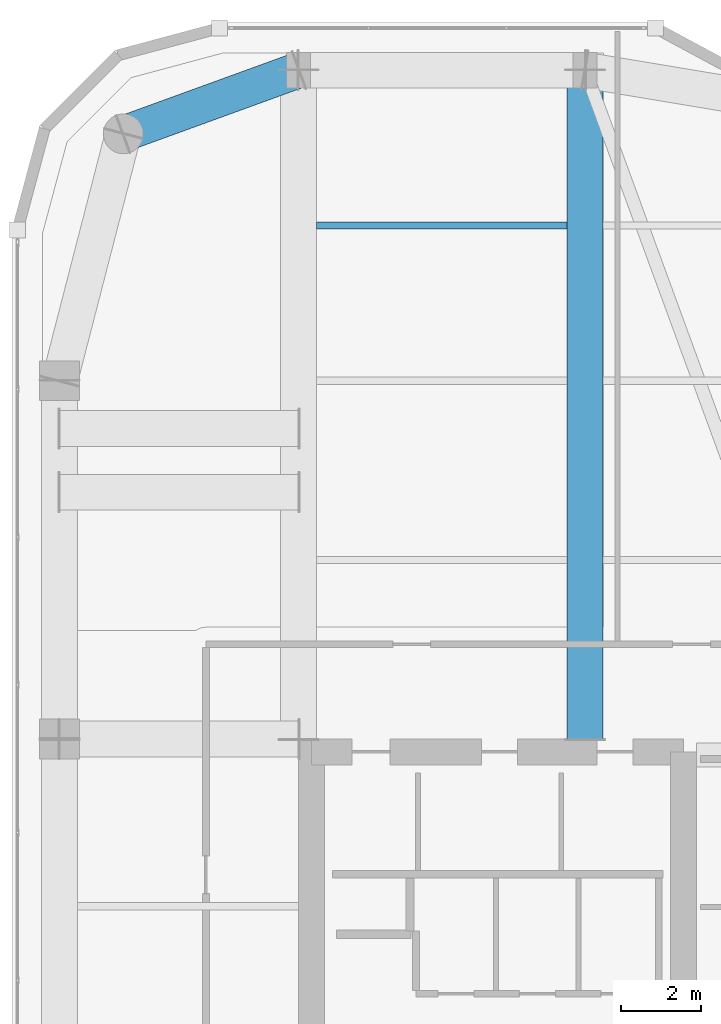
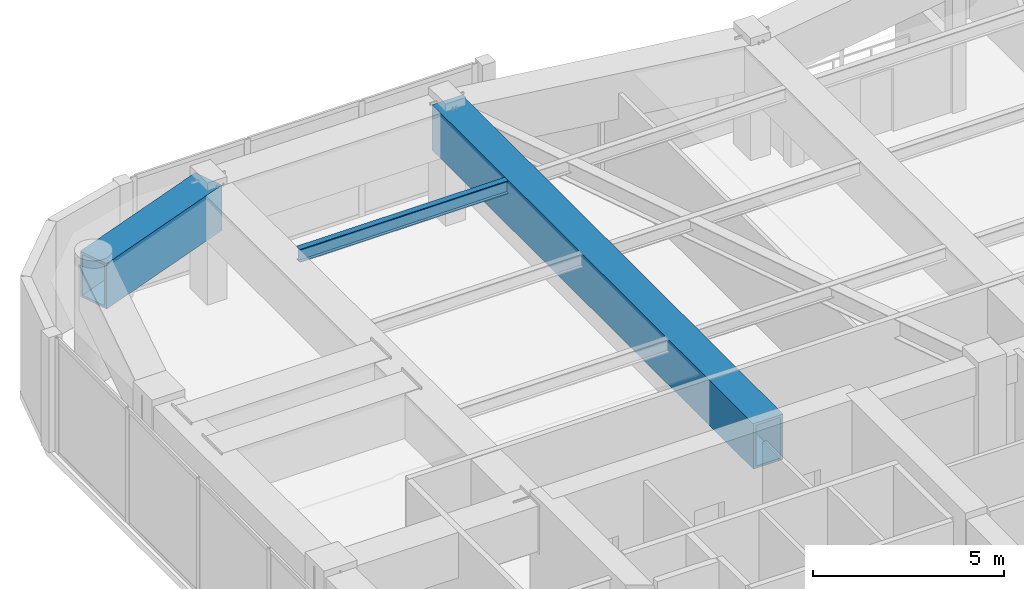
# One storey, part 9 of 21: 3 beams.
"""IFC4 building model written with IfcOpenShell, lengths in metres."""

from ifc_helpers import new_model, si_unit, direction, frame, origin, origin_2d, place, context, subcontext, project, spatial, hollow_rectangle, i_section, extrude, material, material_profile, profile_set, type_object, element, save


model = new_model("IFC4")

# Units and contexts
model_context = context("Model", 3, precision=1e-05, world=origin(), true_north=direction((0.0, 1.0)))
body_context = subcontext(model_context, "Body", "Model", "MODEL_VIEW")
ifc_project = project(units=[si_unit("LENGTHUNIT", "METRE"), si_unit("AREAUNIT", "SQUARE_METRE"), si_unit("VOLUMEUNIT", "CUBIC_METRE"), si_unit("PLANEANGLEUNIT", "RADIAN"), si_unit("MASSUNIT", "GRAM", prefix="KILO")], contexts=[model_context])

# Site, building, storey
site_placement = place(None, origin())
site = spatial("IfcSite", under=ifc_project, at=site_placement, CompositionType="ELEMENT")
building_placement = place(site_placement, origin())
building = spatial("IfcBuilding", under=site, at=building_placement, Name="Kiyonajd Concourse Tower", CompositionType="ELEMENT")
storey_placement = place(building_placement, frame((0.0, 0.0, 251.10009765625)))
storey = spatial("IfcBuildingStorey", under=building, at=storey_placement, Name="L63", CompositionType="ELEMENT", Elevation=251.10009765625)

# Beams
ifc_material_1 = material(Name="Steel ASTM A992 Grade 50", Category="steel")
ifc_material_profile_1 = material_profile(ifc_material_1, i_section(OverallWidth=0.180908203125, OverallDepth=0.4169921875, WebThickness=0.010986328125, FlangeThickness=0.018310546875, at=origin_2d()), Name="W410X85")
ifc_profile_set_1 = profile_set([ifc_material_profile_1], Name="Steel ASTM A992 Grade 50")
beam_type_1 = type_object("IfcBeamType", Name="BM-JST-410", PredefinedType="JOIST", material=ifc_profile_set_1)
beam_1_placement = place(storey_placement, frame((32.85009765625, 57.300048828125, 3.451416015625), z_axis=(1.0, 0.0, 0.0), x_axis=(0.0, 1.0, 0.0)))
element("IfcBeam", 1, at=beam_1_placement, inside=storey, type_object=beam_type_1, Name="L63 Secondary Floor Joist", PredefinedType="JOIST", context=body_context, shape_type="SweptSolid", body=[
    extrude(i_section(OverallWidth=0.180908203125, OverallDepth=0.4169921875, WebThickness=0.010986328125, FlangeThickness=0.018310546875, at=origin_2d()), origin(), (0.0, 0.0, 1.0), 6.2998046875),
])
ifc_material_2 = material(Name="Steel ASTM A572 Grade 50", Category="steel")
ifc_material_profile_2 = material_profile(ifc_material_2, hollow_rectangle(XDim=0.89990234375, YDim=1.449951171875, WallThickness=0.074951171875, at=origin_2d()), Name="BOX-1450x900x75")
ifc_profile_set_2 = profile_set([ifc_material_profile_2], Name="Steel ASTM A572 Grade 50")
beam_type_2 = type_object("IfcBeamType", Name="BM-XFER-1800", PredefinedType="BEAM", material=ifc_profile_set_2)
beam_2_placement = place(storey_placement, frame((32.39990234375, 61.199951171875, 2.934814453125), z_axis=(-0.939801036019, -0.341722127901, 0.0), x_axis=(0.341722127901, -0.939801036019, 0.0)))
element("IfcBeam", 2, at=beam_2_placement, inside=storey, type_object=beam_type_2, Name="L63 Perimeter Bundled Tube Spandrel", PredefinedType="BEAM", context=body_context, shape_type="SweptSolid", body=[
    extrude(hollow_rectangle(XDim=0.89990234375, YDim=1.449951171875, WallThickness=0.074951171875, at=origin_2d()), origin(), (0.0, 0.0, 1.0), 4.681640625),
])
beam_3_placement = place(storey_placement, frame((39.60009765625, 44.39990234375, 2.934814453125), z_axis=(0.0, 1.0, 0.0), x_axis=(-1.0, 0.0, 0.0)))
element("IfcBeam", 3, at=beam_3_placement, inside=storey, type_object=beam_type_2, Name="L63 North Lease Girder", PredefinedType="BEAM", context=body_context, shape_type="SweptSolid", body=[
    extrude(hollow_rectangle(XDim=0.89990234375, YDim=1.449951171875, WallThickness=0.074951171875, at=origin_2d()), origin(), (0.0, 0.0, 1.0), 16.800048828125),
])

save(model, "model.ifc")
